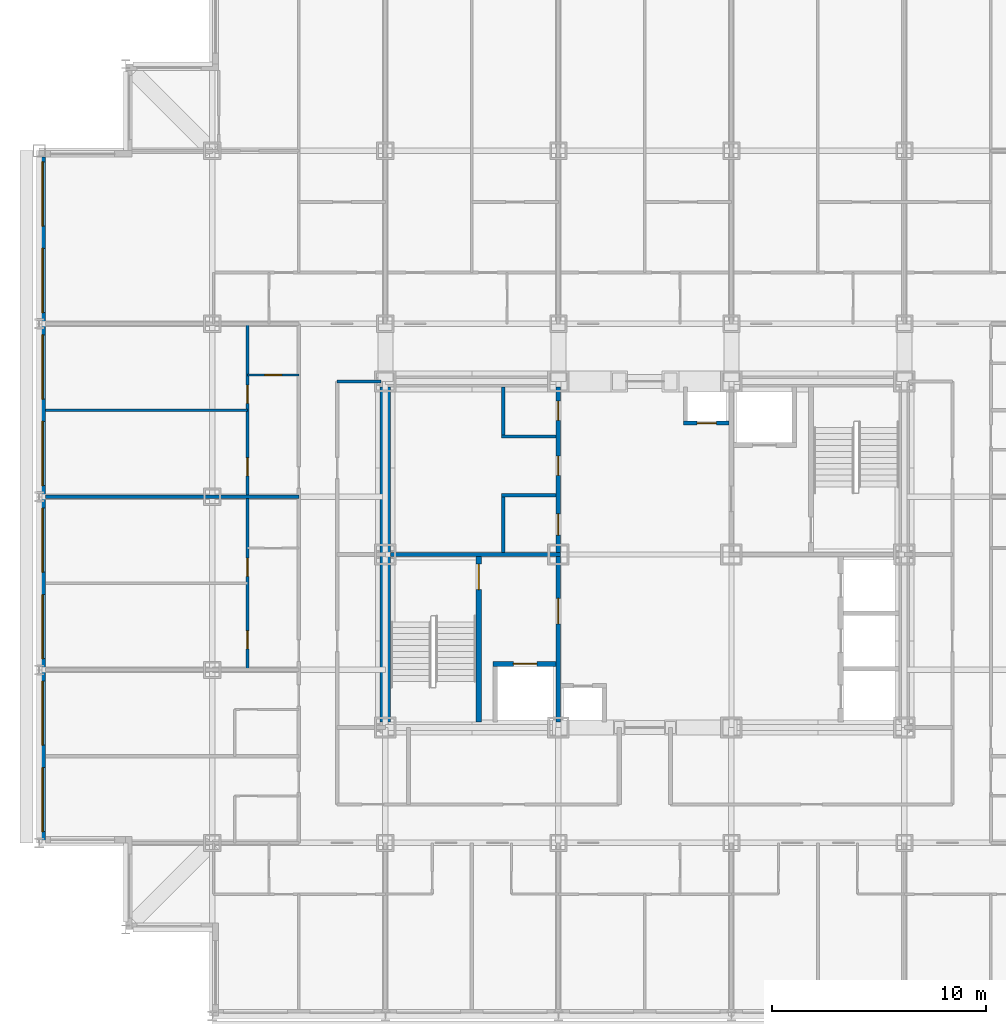
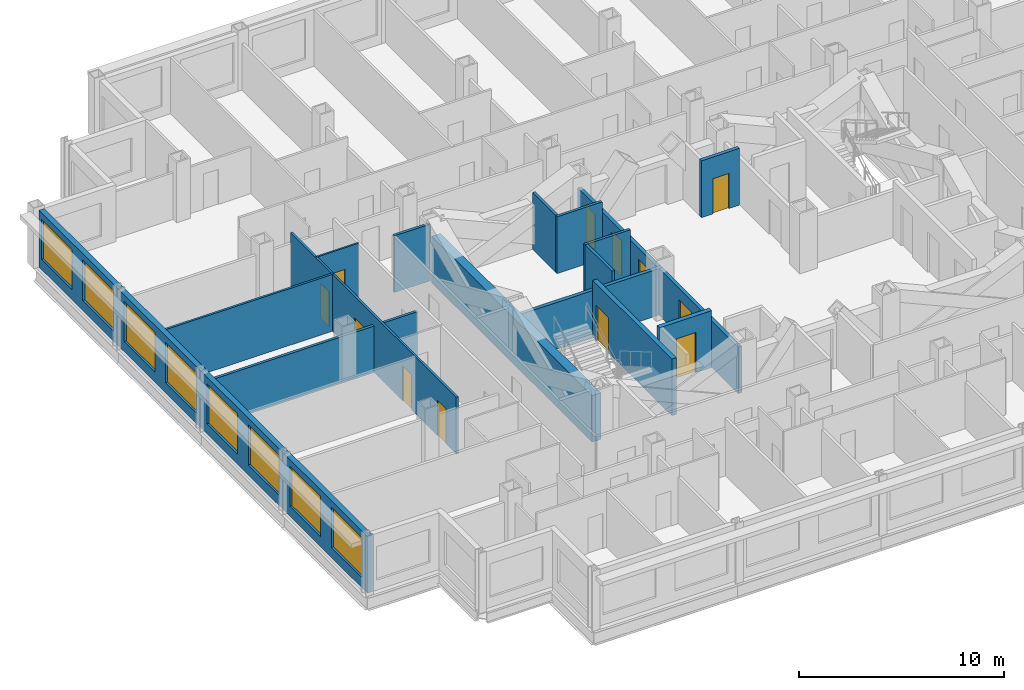
# One storey, part 6 of 12: 17 walls, 12 doors, 8 windows, 20 openings.
"""IFC4 building model written with IfcOpenShell, lengths in metres."""

from ifc_helpers import new_model, si_unit, direction, frame, frame_2d, origin, place, context, subcontext, project, spatial, rectangle, extrude, material, layer, layer_set, type_object, element, fill, save


model = new_model("IFC4")

# Units and contexts
model_context = context("Model", 3, precision=1e-05, world=origin(), true_north=direction((0.0, 1.0)))
body_context = subcontext(model_context, "Body", "Model", "MODEL_VIEW")
ifc_project = project(units=[si_unit("LENGTHUNIT", "METRE"), si_unit("AREAUNIT", "SQUARE_METRE"), si_unit("VOLUMEUNIT", "CUBIC_METRE"), si_unit("PLANEANGLEUNIT", "RADIAN"), si_unit("MASSUNIT", "GRAM", prefix="KILO")], contexts=[model_context])

# Site, building, storey
site_placement = place(None, origin())
site = spatial("IfcSite", under=ifc_project, at=site_placement, CompositionType="ELEMENT")
building_placement = place(site_placement, origin())
building = spatial("IfcBuilding", under=site, at=building_placement, Name="Kopane Lantern Tower", CompositionType="ELEMENT")
storey_placement = place(building_placement, frame((0.0, 0.0, 170.39990234375)))
storey = spatial("IfcBuildingStorey", under=building, at=storey_placement, Name="L43", CompositionType="ELEMENT", Elevation=170.39990234375)

# Wall, openings, doors
ifc_material_1 = material(Name="Gypsum board on steel studs", Category="steel")
ifc_layer_1 = layer(ifc_material_1, 0.1201171875)
ifc_layer_set_1 = layer_set([ifc_layer_1], Name="APARTMENT INTERNAL WALL 120")
wall_type_1 = type_object("IfcWallType", Name="APARTMENT INTERNAL WALL 120", PredefinedType="PARTITIONING", material=ifc_layer_set_1)
wall_1_placement = place(storey_placement, frame((9.75, 27.0, 0.0), z_axis=(0.0, 0.0, 1.0), x_axis=(0.0, 1.0, 0.0)))
wall_1 = element("IfcWall", 1, at=wall_1_placement, inside=storey, type_object=wall_type_1, Name="Apartment Internal Wall 120 L43", PredefinedType="PARTITIONING", context=body_context, shape_type="SweptSolid", body=[
    extrude(rectangle(XDim=16.199951171875, YDim=0.1201171875, at=frame_2d((8.10009765625, 0.0))), origin(), (0.0, 0.0, 1.0), 3.39013671875),
])
opening_1_placement = place(wall_1_placement, frame((0.97509765625, 0.0, 0.0)))
opening_1 = element("IfcOpeningElement", 2, at=opening_1_placement, cuts=wall_1, Name="Opening L43-038", PredefinedType="OPENING", context=body_context, shape_type="SweptSolid", body=[
    extrude(rectangle(XDim=0.85009765625, YDim=2.10009765625, at=frame_2d((0.425048828125, 1.050048828125))), frame((0.0, 0.070068359375, 0.0), z_axis=(0.0, -1.0, 0.0), x_axis=(1.0, 0.0, 0.0)), (0.0, 0.0, 1.0), 0.14013671875),
])
opening_2_placement = place(wall_1_placement, frame((4.375, 0.0, 0.0)))
opening_2 = element("IfcOpeningElement", 3, at=opening_2_placement, cuts=wall_1, Name="Opening L43-039", PredefinedType="OPENING", context=body_context, shape_type="SweptSolid", body=[
    extrude(rectangle(XDim=0.85009765625, YDim=2.10009765625, at=frame_2d((0.425048828125, 1.050048828125))), frame((0.0, 0.070068359375, 0.0), z_axis=(0.0, -1.0, 0.0), x_axis=(1.0, 0.0, 0.0)), (0.0, 0.0, 1.0), 0.14013671875),
])
opening_3_placement = place(wall_1_placement, frame((9.074951171875, 0.0, 0.0)))
opening_3 = element("IfcOpeningElement", 4, at=opening_3_placement, cuts=wall_1, Name="Opening L43-042", PredefinedType="OPENING", context=body_context, shape_type="SweptSolid", body=[
    extrude(rectangle(XDim=0.85009765625, YDim=2.10009765625, at=frame_2d((0.425048828125, 1.050048828125))), frame((0.0, 0.070068359375, 0.0), z_axis=(0.0, -1.0, 0.0), x_axis=(1.0, 0.0, 0.0)), (0.0, 0.0, 1.0), 0.14013671875),
])
opening_4_placement = place(wall_1_placement, frame((12.47509765625, 0.0, 0.0)))
opening_4 = element("IfcOpeningElement", 5, at=opening_4_placement, cuts=wall_1, Name="Opening L43-043", PredefinedType="OPENING", context=body_context, shape_type="SweptSolid", body=[
    extrude(rectangle(XDim=0.85009765625, YDim=2.10009765625, at=frame_2d((0.425048828125, 1.050048828125))), frame((0.0, 0.070068359375, 0.0), z_axis=(0.0, -1.0, 0.0), x_axis=(1.0, 0.0, 0.0)), (0.0, 0.0, 1.0), 0.14013671875),
])
ifc_material_2 = material(Name="Timber door set", Category="wood")
door_type_1 = type_object("IfcDoorType", Name="DOOR D4 850x2100", OperationType="SINGLE_SWING_LEFT", PredefinedType="DOOR", material=ifc_material_2)
door_1_placement = place(opening_1_placement, origin())
door_1 = element("IfcDoor", 6, at=door_1_placement, inside=storey, type_object=door_type_1, Name="Door L43-038", OperationType="SINGLE_SWING_RIGHT", OverallHeight=2.10009765625, OverallWidth=0.85009765625, PredefinedType="DOOR", context=body_context, shape_type="SweptSolid", body=[
    extrude(rectangle(XDim=0.85009765625, YDim=2.10009765625, at=frame_2d((0.425048828125, 1.050048828125))), frame((0.0, 0.02490234375, 0.0), z_axis=(0.0, -1.0, 0.0), x_axis=(1.0, 0.0, 0.0)), (0.0, 0.0, 1.0), 0.050048828125),
])
fill(opening_1, door_1)
door_2_placement = place(opening_2_placement, origin())
door_2 = element("IfcDoor", 7, at=door_2_placement, inside=storey, type_object=door_type_1, Name="Door L43-039", OperationType="SINGLE_SWING_LEFT", OverallHeight=2.10009765625, OverallWidth=0.85009765625, PredefinedType="DOOR", context=body_context, shape_type="SweptSolid", body=[
    extrude(rectangle(XDim=0.85009765625, YDim=2.10009765625, at=frame_2d((0.425048828125, 1.050048828125))), frame((0.0, 0.02490234375, 0.0), z_axis=(0.0, -1.0, 0.0), x_axis=(1.0, 0.0, 0.0)), (0.0, 0.0, 1.0), 0.050048828125),
])
fill(opening_2, door_2)
door_3_placement = place(opening_3_placement, origin())
door_3 = element("IfcDoor", 8, at=door_3_placement, inside=storey, type_object=door_type_1, Name="Door L43-042", OperationType="SINGLE_SWING_RIGHT", OverallHeight=2.10009765625, OverallWidth=0.85009765625, PredefinedType="DOOR", context=body_context, shape_type="SweptSolid", body=[
    extrude(rectangle(XDim=0.85009765625, YDim=2.10009765625, at=frame_2d((0.425048828125, 1.050048828125))), frame((0.0, 0.02490234375, 0.0), z_axis=(0.0, -1.0, 0.0), x_axis=(1.0, 0.0, 0.0)), (0.0, 0.0, 1.0), 0.050048828125),
])
fill(opening_3, door_3)
door_4_placement = place(opening_4_placement, origin())
door_4 = element("IfcDoor", 9, at=door_4_placement, inside=storey, type_object=door_type_1, Name="Door L43-043", OperationType="SINGLE_SWING_LEFT", OverallHeight=2.10009765625, OverallWidth=0.85009765625, PredefinedType="DOOR", context=body_context, shape_type="SweptSolid", body=[
    extrude(rectangle(XDim=0.85009765625, YDim=2.10009765625, at=frame_2d((0.425048828125, 1.050048828125))), frame((0.0, 0.02490234375, 0.0), z_axis=(0.0, -1.0, 0.0), x_axis=(1.0, 0.0, 0.0)), (0.0, 0.0, 1.0), 0.050048828125),
])
fill(opening_4, door_4)

# Wall
wall_2_placement = place(storey_placement, frame((9.75, 39.14990234375, 0.0), z_axis=(0.0, 0.0, 1.0), x_axis=(-1.0, 0.0, 0.0)))
element("IfcWall", 10, at=wall_2_placement, inside=storey, type_object=wall_type_1, Name="Apartment Internal Wall 120 L43", PredefinedType="PARTITIONING", context=body_context, shape_type="SweptSolid", body=[
    extrude(rectangle(XDim=9.449951171875, YDim=0.1201171875, at=frame_2d((4.72509765625, 0.0))), origin(), (0.0, 0.0, 1.0), 3.39013671875),
])

# Wall, opening, door
ifc_material_3 = material(Name="Moisture-resistant board on steel studs", Category="steel")
ifc_layer_2 = layer(ifc_material_3, 0.10009765625)
ifc_layer_set_2 = layer_set([ifc_layer_2], Name="BATHROOM WALL 100")
wall_type_2 = type_object("IfcWallType", Name="BATHROOM WALL 100", PredefinedType="PARTITIONING", material=ifc_layer_set_2)
wall_3_placement = place(storey_placement, frame((12.14990234375, 40.800048828125, 0.0), z_axis=(0.0, 0.0, 1.0), x_axis=(-1.0, 0.0, 0.0)))
wall_3 = element("IfcWall", 11, at=wall_3_placement, inside=storey, type_object=wall_type_2, Name="Bathroom Wall 100 L43", PredefinedType="PARTITIONING", context=body_context, shape_type="SweptSolid", body=[
    extrude(rectangle(XDim=2.39990234375, YDim=0.10009765625, at=frame_2d((1.199951171875, 0.0))), origin(), (0.0, 0.0, 1.0), 3.39013671875),
])
opening_5_placement = place(wall_3_placement, frame((0.800048828125, 0.0, 0.0)))
opening_5 = element("IfcOpeningElement", 12, at=opening_5_placement, cuts=wall_3, Name="Opening L43-040", PredefinedType="OPENING", context=body_context, shape_type="SweptSolid", body=[
    extrude(rectangle(XDim=0.800048828125, YDim=2.10009765625, at=frame_2d((0.39990234375, 1.050048828125))), frame((0.0, 0.06005859375, 0.0), z_axis=(0.0, -1.0, 0.0), x_axis=(1.0, 0.0, 0.0)), (0.0, 0.0, 1.0), 0.1201171875),
])
ifc_material_4 = material(Name="Timber door set", Category="wood")
door_type_2 = type_object("IfcDoorType", Name="DOOR D2 800x2100", OperationType="SINGLE_SWING_LEFT", PredefinedType="DOOR", material=ifc_material_4)
door_5_placement = place(opening_5_placement, origin())
door_5 = element("IfcDoor", 13, at=door_5_placement, inside=storey, type_object=door_type_2, Name="Door L43-040", OperationType="SINGLE_SWING_RIGHT", OverallHeight=2.10009765625, OverallWidth=0.800048828125, PredefinedType="DOOR", context=body_context, shape_type="SweptSolid", body=[
    extrude(rectangle(XDim=0.800048828125, YDim=2.10009765625, at=frame_2d((0.39990234375, 1.050048828125))), frame((0.0, 0.02490234375, 0.0), z_axis=(0.0, -1.0, 0.0), x_axis=(1.0, 0.0, 0.0)), (0.0, 0.0, 1.0), 0.050048828125),
])
fill(opening_5, door_5)

# Walls
ifc_material_5 = material(Name="Gypsum shaft wall EI 120", Category="gypsum")
ifc_layer_3 = layer(ifc_material_5, 0.5)
ifc_layer_set_3 = layer_set([ifc_layer_3], Name="CORE PERIMETER WALL 500 EI 120")
wall_type_3 = type_object("IfcWallType", Name="CORE PERIMETER WALL 500 EI 120", PredefinedType="SOLIDWALL", material=ifc_layer_set_3)
wall_4_placement = place(storey_placement, frame((16.199951171875, 24.550048828125, 0.0), z_axis=(0.0, 0.0, 1.0), x_axis=(0.0, 1.0, 0.0)))
element("IfcWall", 14, at=wall_4_placement, inside=storey, type_object=wall_type_3, Name="Core shaft wall L43 PW", PredefinedType="SOLIDWALL", context=body_context, shape_type="SweptSolid", body=[
    extrude(rectangle(XDim=15.699951171875, YDim=0.5, at=frame_2d((7.85009765625, 0.0))), origin(), (0.0, 0.0, 1.0), 2.77783203125),
])
ifc_material_6 = material(Name="Gypsum partition EI 60", Category="gypsum")
ifc_layer_4 = layer(ifc_material_6, 0.14990234375)
ifc_layer_set_4 = layer_set([ifc_layer_4], Name="CORE ROOM PARTITION 150 EI 60")
wall_type_4 = type_object("IfcWallType", Name="CORE ROOM PARTITION 150 EI 60", PredefinedType="PARTITIONING", material=ifc_layer_set_4)
for number, where, z_axis, x_axis, name in (
    (15, (21.64990234375, 35.175048828125, 0.0), (0.0, 0.0, 1.0), (1.0, 0.0, 0.0), "Core room partition L43 WW1"),
    (16, (21.64990234375, 37.925048828125, 0.0), (0.0, 0.0, 1.0), (1.0, 0.0, 0.0), "Core room partition L43 WW2"),
):
    element("IfcWall", number, at=place(storey_placement, frame(where, z_axis=z_axis, x_axis=x_axis)), inside=storey, type_object=wall_type_4, Name=name, PredefinedType="PARTITIONING", context=body_context, shape_type="SweptSolid", body=[
        extrude(rectangle(XDim=2.550048828125, YDim=0.14990234375, at=frame_2d((1.27490234375, 0.0))), origin(), (0.0, 0.0, 1.0), 3.39013671875),
    ])
wall_5_placement = place(storey_placement, frame((21.72509765625, 32.5, 0.0), z_axis=(0.0, 0.0, 1.0), x_axis=(0.0, 1.0, 0.0)))
element("IfcWall", 17, at=wall_5_placement, inside=storey, type_object=wall_type_4, Name="Core room partition L43 WWB0", PredefinedType="PARTITIONING", context=body_context, shape_type="SweptSolid", body=[
    extrude(rectangle(XDim=2.60009765625, YDim=0.14990234375, at=frame_2d((1.300048828125, 0.0))), origin(), (0.0, 0.0, 1.0), 3.39013671875),
])
wall_6_placement = place(storey_placement, frame((21.72509765625, 38.0, 0.0), z_axis=(0.0, 0.0, 1.0), x_axis=(0.0, 1.0, 0.0)))
element("IfcWall", 18, at=wall_6_placement, inside=storey, type_object=wall_type_4, Name="Core room partition L43 WWB1", PredefinedType="PARTITIONING", context=body_context, shape_type="SweptSolid", body=[
    extrude(rectangle(XDim=2.25, YDim=0.14990234375, at=frame_2d((1.125, 0.0))), origin(), (0.0, 0.0, 1.0), 3.39013671875),
])

# Wall, openings, doors
ifc_material_7 = material(Name="Gypsum partition EI 60", Category="gypsum")
ifc_layer_5 = layer(ifc_material_7, 0.199951171875)
ifc_layer_set_5 = layer_set([ifc_layer_5], Name="CORE ROOM WALL 200 EI 60")
wall_type_5 = type_object("IfcWallType", Name="CORE ROOM WALL 200 EI 60", PredefinedType="PARTITIONING", material=ifc_layer_set_5)
wall_7_placement = place(storey_placement, frame((24.300048828125, 32.5, 0.0), z_axis=(0.0, 0.0, 1.0), x_axis=(0.0, 1.0, 0.0)))
wall_7 = element("IfcWall", 19, at=wall_7_placement, inside=storey, type_object=wall_type_5, Name="Core room wall L43 XW", PredefinedType="PARTITIONING", context=body_context, shape_type="SweptSolid", body=[
    extrude(rectangle(XDim=7.75, YDim=0.199951171875, at=frame_2d((3.875, 0.0))), origin(), (0.0, 0.0, 1.0), 2.77783203125),
])
opening_6_placement = place(wall_7_placement, frame((0.800048828125, 0.0, 0.0)))
opening_6 = element("IfcOpeningElement", 20, at=opening_6_placement, cuts=wall_7, Name="Opening 43.C30", PredefinedType="OPENING", context=body_context, shape_type="SweptSolid", body=[
    extrude(rectangle(XDim=1.0, YDim=2.10009765625, at=frame_2d((0.5, 1.050048828125))), frame((0.0, 0.10986328125, 0.0), z_axis=(0.0, -1.0, 0.0), x_axis=(1.0, 0.0, 0.0)), (0.0, 0.0, 1.0), 0.219970703125),
])
opening_7_placement = place(wall_7_placement, frame((3.60009765625, 0.0, 0.0)))
opening_7 = element("IfcOpeningElement", 21, at=opening_7_placement, cuts=wall_7, Name="Opening 43.C31", PredefinedType="OPENING", context=body_context, shape_type="SweptSolid", body=[
    extrude(rectangle(XDim=0.89990234375, YDim=2.10009765625, at=frame_2d((0.449951171875, 1.050048828125))), frame((0.0, 0.10986328125, 0.0), z_axis=(0.0, -1.0, 0.0), x_axis=(1.0, 0.0, 0.0)), (0.0, 0.0, 1.0), 0.219970703125),
])
opening_8_placement = place(wall_7_placement, frame((6.175048828125, 0.0, 0.0)))
opening_8 = element("IfcOpeningElement", 22, at=opening_8_placement, cuts=wall_7, Name="Opening 43.C32", PredefinedType="OPENING", context=body_context, shape_type="SweptSolid", body=[
    extrude(rectangle(XDim=0.89990234375, YDim=2.10009765625, at=frame_2d((0.449951171875, 1.050048828125))), frame((0.0, 0.10986328125, 0.0), z_axis=(0.0, -1.0, 0.0), x_axis=(1.0, 0.0, 0.0)), (0.0, 0.0, 1.0), 0.219970703125),
])
ifc_material_8 = material(Name="Steel door set", Category="steel")
door_type_3 = type_object("IfcDoorType", Name="CORE ROOM DOOR 1000x2100 FD30S", OperationType="SINGLE_SWING_RIGHT", PredefinedType="DOOR", material=ifc_material_8)
door_6_placement = place(opening_6_placement, origin())
door_6 = element("IfcDoor", 23, at=door_6_placement, inside=storey, type_object=door_type_3, Name="Door Concierge pantry L43", OperationType="SINGLE_SWING_LEFT", OverallHeight=2.10009765625, OverallWidth=1.0, PredefinedType="DOOR", context=body_context, shape_type="SweptSolid", body=[
    extrude(rectangle(XDim=1.0, YDim=2.10009765625, at=frame_2d((0.5, 1.050048828125))), frame((0.0, 0.02490234375, 0.0), z_axis=(0.0, -1.0, 0.0), x_axis=(1.0, 0.0, 0.0)), (0.0, 0.0, 1.0), 0.050048828125),
])
fill(opening_6, door_6)
ifc_material_9 = material(Name="Steel door set", Category="steel")
door_type_4 = type_object("IfcDoorType", Name="CORE ROOM DOOR 900x2100 FD60", OperationType="SINGLE_SWING_LEFT", PredefinedType="DOOR", material=ifc_material_9)
door_7_placement = place(opening_7_placement, origin())
door_7 = element("IfcDoor", 24, at=door_7_placement, inside=storey, type_object=door_type_4, Name="Door Residents storage L43", OperationType="SINGLE_SWING_RIGHT", OverallHeight=2.10009765625, OverallWidth=0.89990234375, PredefinedType="DOOR", context=body_context, shape_type="SweptSolid", body=[
    extrude(rectangle(XDim=0.89990234375, YDim=2.10009765625, at=frame_2d((0.449951171875, 1.050048828125))), frame((0.0, 0.02490234375, 0.0), z_axis=(0.0, -1.0, 0.0), x_axis=(1.0, 0.0, 0.0)), (0.0, 0.0, 1.0), 0.050048828125),
])
fill(opening_7, door_7)
door_8_placement = place(opening_8_placement, origin())
door_8 = element("IfcDoor", 25, at=door_8_placement, inside=storey, type_object=door_type_4, Name="Door Cleaner store L43", OperationType="SINGLE_SWING_LEFT", OverallHeight=2.10009765625, OverallWidth=0.89990234375, PredefinedType="DOOR", context=body_context, shape_type="SweptSolid", body=[
    extrude(rectangle(XDim=0.89990234375, YDim=2.10009765625, at=frame_2d((0.449951171875, 1.050048828125))), frame((0.0, 0.02490234375, 0.0), z_axis=(0.0, -1.0, 0.0), x_axis=(1.0, 0.0, 0.0)), (0.0, 0.0, 1.0), 0.050048828125),
])
fill(opening_8, door_8)

# Wall, opening, door
ifc_material_10 = material(Name="Gypsum shaft wall EI 120", Category="gypsum")
ifc_layer_6 = layer(ifc_material_10, 0.25)
ifc_layer_set_6 = layer_set([ifc_layer_6], Name="CORE SHAFT WALL 250 EI 120")
wall_type_6 = type_object("IfcWallType", Name="CORE SHAFT WALL 250 EI 120", PredefinedType="SOLIDWALL", material=ifc_layer_set_6)
wall_8_placement = place(storey_placement, frame((20.574951171875, 24.550048828125, 0.0), z_axis=(0.0, 0.0, 1.0), x_axis=(0.0, 1.0, 0.0)))
wall_8 = element("IfcWall", 26, at=wall_8_placement, inside=storey, type_object=wall_type_6, Name="Core shaft wall L43 XST1", PredefinedType="SOLIDWALL", context=body_context, shape_type="SweptSolid", body=[
    extrude(rectangle(XDim=7.75, YDim=0.25, at=frame_2d((3.875, 0.0))), origin(), (0.0, 0.0, 1.0), 3.39013671875),
])
opening_9_placement = place(wall_8_placement, frame((6.199951171875, 0.0, 0.0)))
opening_9 = element("IfcOpeningElement", 27, at=opening_9_placement, cuts=wall_8, Name="Opening 43.SD1", PredefinedType="OPENING", context=body_context, shape_type="SweptSolid", body=[
    extrude(rectangle(XDim=1.199951171875, YDim=2.10009765625, at=frame_2d((0.60009765625, 1.050048828125))), frame((0.0, 0.135009765625, 0.0), z_axis=(0.0, -1.0, 0.0), x_axis=(1.0, 0.0, 0.0)), (0.0, 0.0, 1.0), 0.27001953125),
])
ifc_material_11 = material(Name="Steel door set", Category="steel")
door_type_5 = type_object("IfcDoorType", Name="STAIR DOOR 1200x2100 FD60S", OperationType="SINGLE_SWING_LEFT", PredefinedType="DOOR", material=ifc_material_11)
door_9_placement = place(opening_9_placement, origin())
door_9 = element("IfcDoor", 28, at=door_9_placement, inside=storey, type_object=door_type_5, Name="Stair door ST1 L43", OperationType="SINGLE_SWING_LEFT", OverallHeight=2.10009765625, OverallWidth=1.199951171875, PredefinedType="DOOR", context=body_context, shape_type="SweptSolid", body=[
    extrude(rectangle(XDim=1.199951171875, YDim=2.10009765625, at=frame_2d((0.60009765625, 1.050048828125))), frame((0.0, 0.02490234375, 0.0), z_axis=(0.0, -1.0, 0.0), x_axis=(1.0, 0.0, 0.0)), (0.0, 0.0, 1.0), 0.050048828125),
])
fill(opening_9, door_9)

wall_9_placement = place(storey_placement, frame((21.25, 27.27490234375, 0.0), z_axis=(0.0, 0.0, 1.0), x_axis=(1.0, 0.0, 0.0)))
wall_9 = element("IfcWall", 29, at=wall_9_placement, inside=storey, type_object=wall_type_6, Name="Core shaft wall L43 YLF1", PredefinedType="SOLIDWALL", context=body_context, shape_type="SweptSolid", body=[
    extrude(rectangle(XDim=2.949951171875, YDim=0.25, at=frame_2d((1.47509765625, 0.0))), origin(), (0.0, 0.0, 1.0), 3.39013671875),
])
opening_10_placement = place(wall_9_placement, frame((0.949951171875, 0.0, 0.0)))
opening_10 = element("IfcOpeningElement", 30, at=opening_10_placement, cuts=wall_9, Name="Opening 43.LD-LF1", PredefinedType="OPENING", context=body_context, shape_type="SweptSolid", body=[
    extrude(rectangle(XDim=1.10009765625, YDim=2.39990234375, at=frame_2d((0.550048828125, 1.199951171875))), frame((0.0, 0.135009765625, 0.0), z_axis=(0.0, -1.0, 0.0), x_axis=(1.0, 0.0, 0.0)), (0.0, 0.0, 1.0), 0.27001953125),
])
ifc_material_12 = material(Name="Steel door set", Category="steel")
door_type_6 = type_object("IfcDoorType", Name="LIFT LANDING DOOR 1100x2400 FD60", OperationType="DOUBLE_DOOR_SLIDING", PredefinedType="DOOR", material=ifc_material_12)
door_10_placement = place(opening_10_placement, origin())
door_10 = element("IfcDoor", 31, at=door_10_placement, inside=storey, type_object=door_type_6, Name="Landing door LF1 L43", OperationType="DOUBLE_DOOR_SLIDING", OverallHeight=2.39990234375, OverallWidth=1.10009765625, PredefinedType="DOOR", context=body_context, shape_type="SweptSolid", body=[
    extrude(rectangle(XDim=1.10009765625, YDim=2.39990234375, at=frame_2d((0.550048828125, 1.199951171875))), frame((0.0, 0.02490234375, 0.0), z_axis=(0.0, -1.0, 0.0), x_axis=(1.0, 0.0, 0.0)), (0.0, 0.0, 1.0), 0.050048828125),
])
fill(opening_10, door_10)

# Walls
ifc_material_13 = material(Name="Gypsum board on steel studs", Category="steel")
ifc_layer_7 = layer(ifc_material_13, 0.14990234375)
ifc_layer_set_7 = layer_set([ifc_layer_7], Name="CORRIDOR WALL 150 EI 60")
wall_type_7 = type_object("IfcWallType", Name="CORRIDOR WALL 150 EI 60", PredefinedType="PARTITIONING", material=ifc_layer_set_7)
wall_10_placement = place(storey_placement, frame((16.0, 40.5, 0.0), z_axis=(0.0, 0.0, 1.0), x_axis=(-1.0, 0.0, 0.0)))
element("IfcWall", 32, at=wall_10_placement, inside=storey, type_object=wall_type_7, Name="Corridor Wall 150 Ei 60 L43", PredefinedType="PARTITIONING", context=body_context, shape_type="SweptSolid", body=[
    extrude(rectangle(XDim=2.050048828125, YDim=0.14990234375, at=frame_2d((1.02490234375, 0.0))), origin(), (0.0, 0.0, 1.0), 3.39013671875),
])
ifc_material_14 = material(Name="Gypsum board on steel studs", Category="steel")
ifc_layer_8 = layer(ifc_material_14, 0.14990234375)
ifc_layer_set_8 = layer_set([ifc_layer_8], Name="DEMISING WALL 150 EI 60")
wall_type_8 = type_object("IfcWallType", Name="DEMISING WALL 150 EI 60", PredefinedType="PARTITIONING", material=ifc_layer_set_8)
wall_11_placement = place(storey_placement, frame((12.14990234375, 35.10009765625, 0.0), z_axis=(0.0, 0.0, 1.0), x_axis=(-1.0, 0.0, 0.0)))
element("IfcWall", 33, at=wall_11_placement, inside=storey, type_object=wall_type_8, Name="Demising Wall 150 Ei 60 L43", PredefinedType="PARTITIONING", context=body_context, shape_type="SweptSolid", body=[
    extrude(rectangle(XDim=11.849853515625, YDim=0.14990234375, at=frame_2d((5.9248046875, 0.0))), origin(), (0.0, 0.0, 1.0), 2.77783203125),
])

# Wall, openings, windows
ifc_material_15 = material(Name="Terracotta rainscreen on light steel framing", Category="masonry")
ifc_layer_9 = layer(ifc_material_15, 0.300048828125)
ifc_layer_set_9 = layer_set([ifc_layer_9], Name="EXTERNAL WALL EW1 300 TERRACOTTA")
wall_type_9 = type_object("IfcWallType", Name="EXTERNAL WALL EW1 300 TERRACOTTA", PredefinedType="SOLIDWALL", material=ifc_layer_set_9)
wall_12_placement = place(storey_placement, frame((0.14990234375, 51.0, 0.0), z_axis=(0.0, 0.0, 1.0), x_axis=(0.0, -1.0, 0.0)))
wall_12 = element("IfcWall", 34, at=wall_12_placement, inside=storey, type_object=wall_type_9, Name="External wall W L43", PredefinedType="SOLIDWALL", context=body_context, shape_type="SweptSolid", body=[
    extrude(rectangle(XDim=32.10009765625, YDim=0.300048828125, at=frame_2d((16.050048828125, 0.0))), origin(), (0.0, 0.0, 1.0), 3.39013671875),
])
opening_11_placement = place(wall_12_placement, frame((0.22509765625, 0.0, 0.60009765625)))
opening_11 = element("IfcOpeningElement", 35, at=opening_11_placement, cuts=wall_12, Name="Opening WR300240", PredefinedType="OPENING", context=body_context, shape_type="SweptSolid", body=[
    extrude(rectangle(XDim=3.0, YDim=2.39990234375, at=frame_2d((1.5, 1.199951171875))), frame((0.0, 0.159912109375, 0.0), z_axis=(0.0, -1.0, 0.0), x_axis=(1.0, 0.0, 0.0)), (0.0, 0.0, 1.0), 0.320068359375),
])
opening_12_placement = place(wall_12_placement, frame((4.27490234375, 0.0, 0.60009765625)))
opening_12 = element("IfcOpeningElement", 36, at=opening_12_placement, cuts=wall_12, Name="Opening WR300240", PredefinedType="OPENING", context=body_context, shape_type="SweptSolid", body=[
    extrude(rectangle(XDim=3.0, YDim=2.39990234375, at=frame_2d((1.5, 1.199951171875))), frame((0.0, 0.159912109375, 0.0), z_axis=(0.0, -1.0, 0.0), x_axis=(1.0, 0.0, 0.0)), (0.0, 0.0, 1.0), 0.320068359375),
])
opening_13_placement = place(wall_12_placement, frame((8.324951171875, 0.0, 0.60009765625)))
opening_13 = element("IfcOpeningElement", 37, at=opening_13_placement, cuts=wall_12, Name="Opening WR300240", PredefinedType="OPENING", context=body_context, shape_type="SweptSolid", body=[
    extrude(rectangle(XDim=3.0, YDim=2.39990234375, at=frame_2d((1.5, 1.199951171875))), frame((0.0, 0.159912109375, 0.0), z_axis=(0.0, -1.0, 0.0), x_axis=(1.0, 0.0, 0.0)), (0.0, 0.0, 1.0), 0.320068359375),
])
opening_14_placement = place(wall_12_placement, frame((12.375, 0.0, 0.60009765625)))
opening_14 = element("IfcOpeningElement", 38, at=opening_14_placement, cuts=wall_12, Name="Opening WR300240", PredefinedType="OPENING", context=body_context, shape_type="SweptSolid", body=[
    extrude(rectangle(XDim=3.0, YDim=2.39990234375, at=frame_2d((1.5, 1.199951171875))), frame((0.0, 0.159912109375, 0.0), z_axis=(0.0, -1.0, 0.0), x_axis=(1.0, 0.0, 0.0)), (0.0, 0.0, 1.0), 0.320068359375),
])
opening_15_placement = place(wall_12_placement, frame((16.425048828125, 0.0, 0.60009765625)))
opening_15 = element("IfcOpeningElement", 39, at=opening_15_placement, cuts=wall_12, Name="Opening WR300240", PredefinedType="OPENING", context=body_context, shape_type="SweptSolid", body=[
    extrude(rectangle(XDim=3.0, YDim=2.39990234375, at=frame_2d((1.5, 1.199951171875))), frame((0.0, 0.159912109375, 0.0), z_axis=(0.0, -1.0, 0.0), x_axis=(1.0, 0.0, 0.0)), (0.0, 0.0, 1.0), 0.320068359375),
])
opening_16_placement = place(wall_12_placement, frame((20.47509765625, 0.0, 0.60009765625)))
opening_16 = element("IfcOpeningElement", 40, at=opening_16_placement, cuts=wall_12, Name="Opening WR300240", PredefinedType="OPENING", context=body_context, shape_type="SweptSolid", body=[
    extrude(rectangle(XDim=3.0, YDim=2.39990234375, at=frame_2d((1.5, 1.199951171875))), frame((0.0, 0.159912109375, 0.0), z_axis=(0.0, -1.0, 0.0), x_axis=(1.0, 0.0, 0.0)), (0.0, 0.0, 1.0), 0.320068359375),
])
opening_17_placement = place(wall_12_placement, frame((24.52490234375, 0.0, 0.60009765625)))
opening_17 = element("IfcOpeningElement", 41, at=opening_17_placement, cuts=wall_12, Name="Opening WR300240", PredefinedType="OPENING", context=body_context, shape_type="SweptSolid", body=[
    extrude(rectangle(XDim=3.0, YDim=2.39990234375, at=frame_2d((1.5, 1.199951171875))), frame((0.0, 0.159912109375, 0.0), z_axis=(0.0, -1.0, 0.0), x_axis=(1.0, 0.0, 0.0)), (0.0, 0.0, 1.0), 0.320068359375),
])
opening_18_placement = place(wall_12_placement, frame((28.574951171875, 0.0, 0.60009765625)))
opening_18 = element("IfcOpeningElement", 42, at=opening_18_placement, cuts=wall_12, Name="Opening WR300240", PredefinedType="OPENING", context=body_context, shape_type="SweptSolid", body=[
    extrude(rectangle(XDim=3.0, YDim=2.39990234375, at=frame_2d((1.5, 1.199951171875))), frame((0.0, 0.159912109375, 0.0), z_axis=(0.0, -1.0, 0.0), x_axis=(1.0, 0.0, 0.0)), (0.0, 0.0, 1.0), 0.320068359375),
])
ifc_material_16 = material(Name="Aluminium and clear glass", Category="aluminium")
window_type = type_object("IfcWindowType", Name="RIBBON WINDOW WR300240 3000x2400", PartitioningType="SINGLE_PANEL", PredefinedType="WINDOW", material=ifc_material_16)
window_1_placement = place(opening_11_placement, origin())
window_1 = element("IfcWindow", 43, at=window_1_placement, inside=storey, type_object=window_type, Name="Window W L43", OverallHeight=2.39990234375, OverallWidth=3.0, PartitioningType="SINGLE_PANEL", PredefinedType="WINDOW", context=body_context, shape_type="SweptSolid", body=[
    extrude(rectangle(XDim=3.0, YDim=2.39990234375, at=frame_2d((1.5, 1.199951171875))), frame((0.0, 0.030029296875, 0.0), z_axis=(0.0, -1.0, 0.0), x_axis=(1.0, 0.0, 0.0)), (0.0, 0.0, 1.0), 0.06005859375),
])
fill(opening_11, window_1)
window_2_placement = place(opening_12_placement, origin())
window_2 = element("IfcWindow", 44, at=window_2_placement, inside=storey, type_object=window_type, Name="Window W L43", OverallHeight=2.39990234375, OverallWidth=3.0, PartitioningType="SINGLE_PANEL", PredefinedType="WINDOW", context=body_context, shape_type="SweptSolid", body=[
    extrude(rectangle(XDim=3.0, YDim=2.39990234375, at=frame_2d((1.5, 1.199951171875))), frame((0.0, 0.030029296875, 0.0), z_axis=(0.0, -1.0, 0.0), x_axis=(1.0, 0.0, 0.0)), (0.0, 0.0, 1.0), 0.06005859375),
])
fill(opening_12, window_2)
window_3_placement = place(opening_13_placement, origin())
window_3 = element("IfcWindow", 45, at=window_3_placement, inside=storey, type_object=window_type, Name="Window W L43", OverallHeight=2.39990234375, OverallWidth=3.0, PartitioningType="SINGLE_PANEL", PredefinedType="WINDOW", context=body_context, shape_type="SweptSolid", body=[
    extrude(rectangle(XDim=3.0, YDim=2.39990234375, at=frame_2d((1.5, 1.199951171875))), frame((0.0, 0.030029296875, 0.0), z_axis=(0.0, -1.0, 0.0), x_axis=(1.0, 0.0, 0.0)), (0.0, 0.0, 1.0), 0.06005859375),
])
fill(opening_13, window_3)
window_4_placement = place(opening_14_placement, origin())
window_4 = element("IfcWindow", 46, at=window_4_placement, inside=storey, type_object=window_type, Name="Window W L43", OverallHeight=2.39990234375, OverallWidth=3.0, PartitioningType="SINGLE_PANEL", PredefinedType="WINDOW", context=body_context, shape_type="SweptSolid", body=[
    extrude(rectangle(XDim=3.0, YDim=2.39990234375, at=frame_2d((1.5, 1.199951171875))), frame((0.0, 0.030029296875, 0.0), z_axis=(0.0, -1.0, 0.0), x_axis=(1.0, 0.0, 0.0)), (0.0, 0.0, 1.0), 0.06005859375),
])
fill(opening_14, window_4)
window_5_placement = place(opening_15_placement, origin())
window_5 = element("IfcWindow", 47, at=window_5_placement, inside=storey, type_object=window_type, Name="Window W L43", OverallHeight=2.39990234375, OverallWidth=3.0, PartitioningType="SINGLE_PANEL", PredefinedType="WINDOW", context=body_context, shape_type="SweptSolid", body=[
    extrude(rectangle(XDim=3.0, YDim=2.39990234375, at=frame_2d((1.5, 1.199951171875))), frame((0.0, 0.030029296875, 0.0), z_axis=(0.0, -1.0, 0.0), x_axis=(1.0, 0.0, 0.0)), (0.0, 0.0, 1.0), 0.06005859375),
])
fill(opening_15, window_5)
window_6_placement = place(opening_16_placement, origin())
window_6 = element("IfcWindow", 48, at=window_6_placement, inside=storey, type_object=window_type, Name="Window W L43", OverallHeight=2.39990234375, OverallWidth=3.0, PartitioningType="SINGLE_PANEL", PredefinedType="WINDOW", context=body_context, shape_type="SweptSolid", body=[
    extrude(rectangle(XDim=3.0, YDim=2.39990234375, at=frame_2d((1.5, 1.199951171875))), frame((0.0, 0.030029296875, 0.0), z_axis=(0.0, -1.0, 0.0), x_axis=(1.0, 0.0, 0.0)), (0.0, 0.0, 1.0), 0.06005859375),
])
fill(opening_16, window_6)
window_7_placement = place(opening_17_placement, origin())
window_7 = element("IfcWindow", 49, at=window_7_placement, inside=storey, type_object=window_type, Name="Window W L43", OverallHeight=2.39990234375, OverallWidth=3.0, PartitioningType="SINGLE_PANEL", PredefinedType="WINDOW", context=body_context, shape_type="SweptSolid", body=[
    extrude(rectangle(XDim=3.0, YDim=2.39990234375, at=frame_2d((1.5, 1.199951171875))), frame((0.0, 0.030029296875, 0.0), z_axis=(0.0, -1.0, 0.0), x_axis=(1.0, 0.0, 0.0)), (0.0, 0.0, 1.0), 0.06005859375),
])
fill(opening_17, window_7)
window_8_placement = place(opening_18_placement, origin())
window_8 = element("IfcWindow", 50, at=window_8_placement, inside=storey, type_object=window_type, Name="Window W L43", OverallHeight=2.39990234375, OverallWidth=3.0, PartitioningType="SINGLE_PANEL", PredefinedType="WINDOW", context=body_context, shape_type="SweptSolid", body=[
    extrude(rectangle(XDim=3.0, YDim=2.39990234375, at=frame_2d((1.5, 1.199951171875))), frame((0.0, 0.030029296875, 0.0), z_axis=(0.0, -1.0, 0.0), x_axis=(1.0, 0.0, 0.0)), (0.0, 0.0, 1.0), 0.06005859375),
])
fill(opening_18, window_8)

# Wall
ifc_material_17 = material(Name="Gypsum shaft wall EI 120", Category="gypsum")
ifc_layer_10 = layer(ifc_material_17, 0.199951171875)
ifc_layer_set_10 = layer_set([ifc_layer_10], Name="SHAFT WALL 200 EI 120")
wall_type_10 = type_object("IfcWallType", Name="SHAFT WALL 200 EI 120", PredefinedType="SOLIDWALL", material=ifc_layer_set_10)
wall_13_placement = place(storey_placement, frame((16.449951171875, 32.39990234375, 0.0), z_axis=(0.0, 0.0, 1.0), x_axis=(1.0, 0.0, 0.0)))
element("IfcWall", 51, at=wall_13_placement, inside=storey, type_object=wall_type_10, Name="Core shaft wall L43 Y324W", PredefinedType="SOLIDWALL", context=body_context, shape_type="SweptSolid", body=[
    extrude(rectangle(XDim=7.949951171875, YDim=0.199951171875, at=frame_2d((3.97509765625, 0.0))), origin(), (0.0, 0.0, 1.0), 2.77783203125),
])

# Wall, opening, door
wall_14_placement = place(storey_placement, frame((24.300048828125, 24.550048828125, 0.0), z_axis=(0.0, 0.0, 1.0), x_axis=(0.0, 1.0, 0.0)))
wall_14 = element("IfcWall", 52, at=wall_14_placement, inside=storey, type_object=wall_type_10, Name="Core shaft wall L43 X243", PredefinedType="SOLIDWALL", context=body_context, shape_type="SweptSolid", body=[
    extrude(rectangle(XDim=7.75, YDim=0.199951171875, at=frame_2d((3.875, 0.0))), origin(), (0.0, 0.0, 1.0), 2.77783203125),
])
opening_19_placement = place(wall_14_placement, frame((4.60009765625, 0.0, 0.0)))
opening_19 = element("IfcOpeningElement", 53, at=opening_19_placement, cuts=wall_14, Name="Opening 43.FL1", PredefinedType="OPENING", context=body_context, shape_type="SweptSolid", body=[
    extrude(rectangle(XDim=1.199951171875, YDim=2.10009765625, at=frame_2d((0.60009765625, 1.050048828125))), frame((0.0, 0.10986328125, 0.0), z_axis=(0.0, -1.0, 0.0), x_axis=(1.0, 0.0, 0.0)), (0.0, 0.0, 1.0), 0.219970703125),
])
ifc_material_18 = material(Name="Steel door set", Category="steel")
door_type_7 = type_object("IfcDoorType", Name="FIREFIGHTING LOBBY DOOR 1200x2100 FD60S", OperationType="SINGLE_SWING_RIGHT", PredefinedType="DOOR", material=ifc_material_18)
door_11_placement = place(opening_19_placement, origin())
door_11 = element("IfcDoor", 54, at=door_11_placement, inside=storey, type_object=door_type_7, Name="Firefighting lobby door FL1 L43", OperationType="SINGLE_SWING_LEFT", OverallHeight=2.10009765625, OverallWidth=1.199951171875, PredefinedType="DOOR", context=body_context, shape_type="SweptSolid", body=[
    extrude(rectangle(XDim=1.199951171875, YDim=2.10009765625, at=frame_2d((0.60009765625, 1.050048828125))), frame((0.0, 0.02490234375, 0.0), z_axis=(0.0, -1.0, 0.0), x_axis=(1.0, 0.0, 0.0)), (0.0, 0.0, 1.0), 0.050048828125),
])
fill(opening_19, door_11)

wall_15_placement = place(storey_placement, frame((30.14990234375, 38.550048828125, 0.0), z_axis=(0.0, 0.0, 1.0), x_axis=(1.0, 0.0, 0.0)))
wall_15 = element("IfcWall", 55, at=wall_15_placement, inside=storey, type_object=wall_type_10, Name="Core shaft wall L43 YRS2", PredefinedType="SOLIDWALL", context=body_context, shape_type="SweptSolid", body=[
    extrude(rectangle(XDim=2.150146484375, YDim=0.199951171875, at=frame_2d((1.0751953125, 0.0))), origin(), (0.0, 0.0, 1.0), 3.39013671875),
])
opening_20_placement = place(wall_15_placement, frame((0.64990234375, 0.0, 0.0)))
opening_20 = element("IfcOpeningElement", 56, at=opening_20_placement, cuts=wall_15, Name="Opening 43.RS2", PredefinedType="OPENING", context=body_context, shape_type="SweptSolid", body=[
    extrude(rectangle(XDim=0.89990234375, YDim=2.10009765625, at=frame_2d((0.449951171875, 1.050048828125))), frame((0.0, 0.10986328125, 0.0), z_axis=(0.0, -1.0, 0.0), x_axis=(1.0, 0.0, 0.0)), (0.0, 0.0, 1.0), 0.219970703125),
])
ifc_material_19 = material(Name="Steel door set", Category="steel")
door_type_8 = type_object("IfcDoorType", Name="RISER ACCESS DOOR 900x2100 FD60", OperationType="SINGLE_SWING_LEFT", PredefinedType="DOOR", material=ifc_material_19)
door_12_placement = place(opening_20_placement, origin())
door_12 = element("IfcDoor", 57, at=door_12_placement, inside=storey, type_object=door_type_8, Name="Riser access door RS2 L43", OperationType="SINGLE_SWING_LEFT", OverallHeight=2.10009765625, OverallWidth=0.89990234375, PredefinedType="DOOR", context=body_context, shape_type="SweptSolid", body=[
    extrude(rectangle(XDim=0.89990234375, YDim=2.10009765625, at=frame_2d((0.449951171875, 1.050048828125))), frame((0.0, 0.02490234375, 0.0), z_axis=(0.0, -1.0, 0.0), x_axis=(1.0, 0.0, 0.0)), (0.0, 0.0, 1.0), 0.050048828125),
])
fill(opening_20, door_12)

save(model, "model.ifc")
